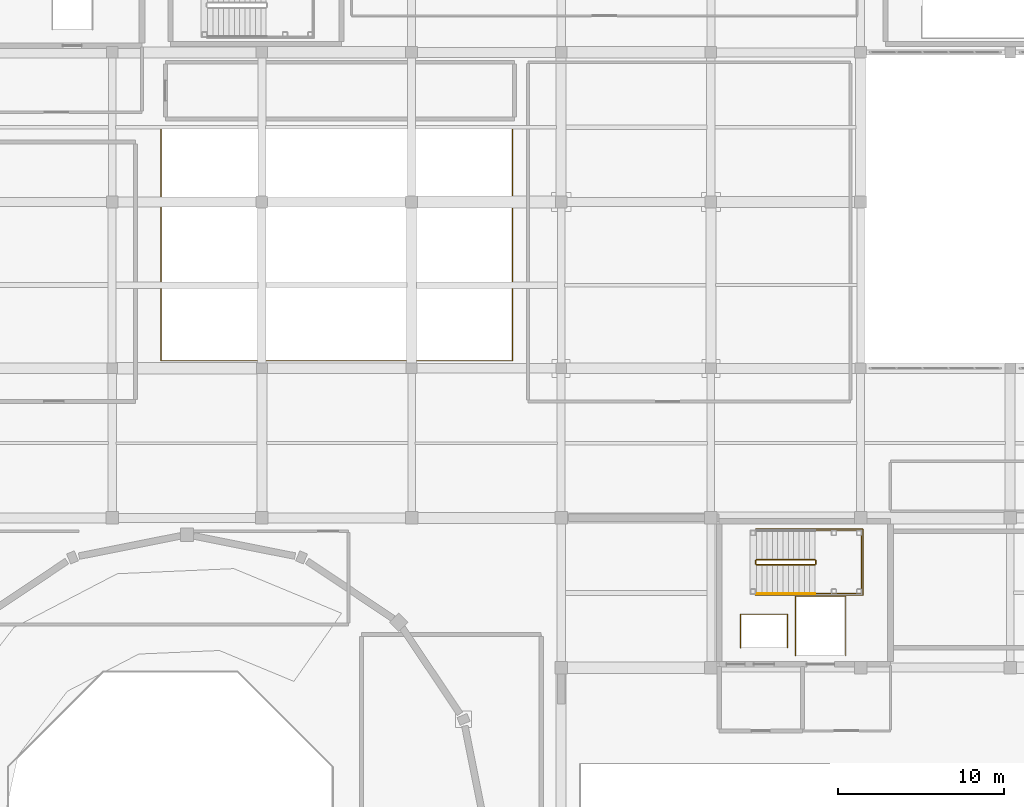
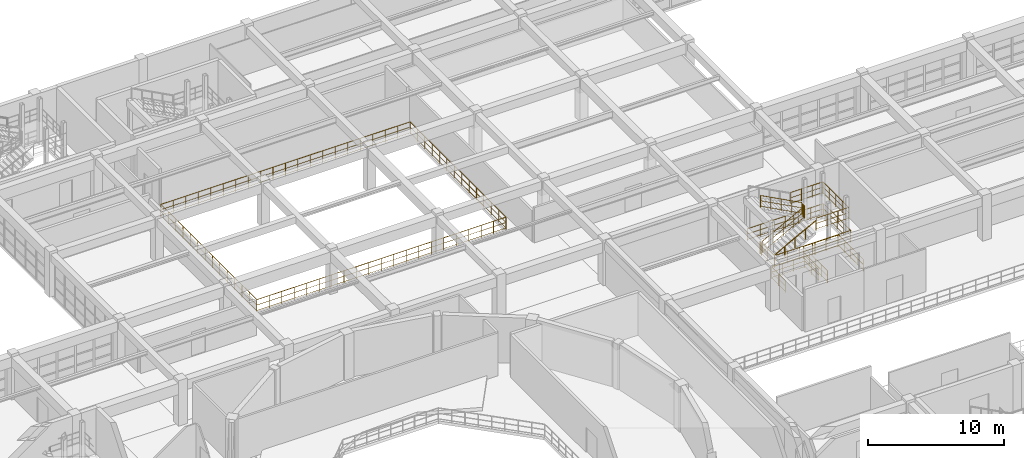
# One storey, part 127 of 130: 10 railings.
"""IFC4 building model written with IfcOpenShell, lengths in metres."""

from ifc_helpers import new_model, si_unit, direction, frame, origin, origin_2d, place, context, subcontext, project, spatial, circle, extrude, material, type_object, element, save


model = new_model("IFC4")

# Units and contexts
model_context = context("Model", 3, precision=1e-05, world=origin(), true_north=direction((0.0, 1.0)))
body_context = subcontext(model_context, "Body", "Model", "MODEL_VIEW")
ifc_project = project(units=[si_unit("LENGTHUNIT", "METRE"), si_unit("AREAUNIT", "SQUARE_METRE"), si_unit("VOLUMEUNIT", "CUBIC_METRE"), si_unit("PLANEANGLEUNIT", "RADIAN"), si_unit("MASSUNIT", "GRAM", prefix="KILO")], contexts=[model_context])

# Site, building, storey
site_placement = place(None, origin())
site = spatial("IfcSite", under=ifc_project, at=site_placement, CompositionType="ELEMENT")
building_placement = place(site_placement, origin())
building = spatial("IfcBuilding", under=site, at=building_placement, Name="Miravela Opera House", CompositionType="ELEMENT")
storey_placement = place(building_placement, frame((0.0, 0.0, 9.52001953125)))
storey = spatial("IfcBuildingStorey", under=building, at=storey_placement, Name="L02", CompositionType="ELEMENT", Elevation=9.52001953125)

# Railings
ifc_material_1 = material(Name="Gilded bronze auditorium tier balustrade")
railing_type_1 = type_object("IfcRailingType", Name="ARC-RAIL-BOWL-BAL", PredefinedType="BALUSTRADE", material=ifc_material_1)
railing_1_placement = place(storey_placement, frame((74.933349609375, 84.45556640625, 0.0)))
element("IfcRailing", 1, at=railing_1_placement, inside=storey, type_object=railing_type_1, Name="L02 Void Perimeter Balustrade 0162", PredefinedType="BALUSTRADE", context=body_context, shape_type="SweptSolid", body=[
    extrude(circle(Radius=0.02490234375, at=origin_2d()), frame((0.0, 0.0, 1.09521484375), z_axis=(1.0, 0.0, 0.0), x_axis=(0.0, 1.0, 0.0)), (0.0, 0.0, 1.0), 21.13330078125),
    extrude(circle(Radius=0.01611328125, at=origin_2d()), frame((0.0, 0.0, 0.615966796875), z_axis=(1.0, 0.0, 0.0), x_axis=(0.0, 1.0, 0.0)), (0.0, 0.0, 1.0), 21.13330078125),
    extrude(circle(Radius=0.01611328125, at=origin_2d()), frame((0.0, 0.0, 0.1201171875), z_axis=(1.0, 0.0, 0.0), x_axis=(0.0, 1.0, 0.0)), (0.0, 0.0, 1.0), 21.13330078125),
    extrude(circle(Radius=0.02490234375, at=origin_2d()), frame((21.13330078125, 0.0, 1.09521484375), z_axis=(0.0, 1.0, 0.0), x_axis=(-1.0, 0.0, 0.0)), (0.0, 0.0, 1.0), 14.0888671875),
    extrude(circle(Radius=0.01611328125, at=origin_2d()), frame((21.13330078125, 0.0, 0.615966796875), z_axis=(0.0, 1.0, 0.0), x_axis=(-1.0, 0.0, 0.0)), (0.0, 0.0, 1.0), 14.0888671875),
    extrude(circle(Radius=0.01611328125, at=origin_2d()), frame((21.13330078125, 0.0, 0.1201171875), z_axis=(0.0, 1.0, 0.0), x_axis=(-1.0, 0.0, 0.0)), (0.0, 0.0, 1.0), 14.0888671875),
    extrude(circle(Radius=0.02490234375, at=origin_2d()), frame((21.13330078125, 14.0888671875, 1.09521484375), z_axis=(-1.0, 0.0, 0.0), x_axis=(0.0, -1.0, 0.0)), (0.0, 0.0, 1.0), 21.13330078125),
    extrude(circle(Radius=0.01611328125, at=origin_2d()), frame((21.13330078125, 14.0888671875, 0.615966796875), z_axis=(-1.0, 0.0, 0.0), x_axis=(0.0, -1.0, 0.0)), (0.0, 0.0, 1.0), 21.13330078125),
    extrude(circle(Radius=0.01611328125, at=origin_2d()), frame((21.13330078125, 14.0888671875, 0.1201171875), z_axis=(-1.0, 0.0, 0.0), x_axis=(0.0, -1.0, 0.0)), (0.0, 0.0, 1.0), 21.13330078125),
    extrude(circle(Radius=0.02490234375, at=origin_2d()), frame((0.0, 14.0888671875, 1.09521484375), z_axis=(0.0, -1.0, 0.0), x_axis=(1.0, 0.0, 0.0)), (0.0, 0.0, 1.0), 14.0888671875),
    extrude(circle(Radius=0.01611328125, at=origin_2d()), frame((0.0, 14.0888671875, 0.615966796875), z_axis=(0.0, -1.0, 0.0), x_axis=(1.0, 0.0, 0.0)), (0.0, 0.0, 1.0), 14.0888671875),
    extrude(circle(Radius=0.01611328125, at=origin_2d()), frame((0.0, 14.0888671875, 0.1201171875), z_axis=(0.0, -1.0, 0.0), x_axis=(1.0, 0.0, 0.0)), (0.0, 0.0, 1.0), 14.0888671875),
    extrude(circle(Radius=0.02099609375, at=origin_2d()), origin(), (0.0, 0.0, 1.0), 1.070068359375),
    extrude(circle(Radius=0.02099609375, at=origin_2d()), frame((1.056640625, 0.0, 0.0)), (0.0, 0.0, 1.0), 1.070068359375),
    extrude(circle(Radius=0.02099609375, at=origin_2d()), frame((2.11328125, 0.0, 0.0)), (0.0, 0.0, 1.0), 1.070068359375),
    extrude(circle(Radius=0.02099609375, at=origin_2d()), frame((3.169921875, 0.0, 0.0)), (0.0, 0.0, 1.0), 1.070068359375),
    extrude(circle(Radius=0.02099609375, at=origin_2d()), frame((4.2265625, 0.0, 0.0)), (0.0, 0.0, 1.0), 1.070068359375),
    extrude(circle(Radius=0.02099609375, at=origin_2d()), frame((5.283203125, 0.0, 0.0)), (0.0, 0.0, 1.0), 1.070068359375),
    extrude(circle(Radius=0.02099609375, at=origin_2d()), frame((6.340087890625, 0.0, 0.0)), (0.0, 0.0, 1.0), 1.070068359375),
    extrude(circle(Radius=0.02099609375, at=origin_2d()), frame((7.396728515625, 0.0, 0.0)), (0.0, 0.0, 1.0), 1.070068359375),
    extrude(circle(Radius=0.02099609375, at=origin_2d()), frame((8.453369140625, 0.0, 0.0)), (0.0, 0.0, 1.0), 1.070068359375),
    extrude(circle(Radius=0.02099609375, at=origin_2d()), frame((9.510009765625, 0.0, 0.0)), (0.0, 0.0, 1.0), 1.070068359375),
    extrude(circle(Radius=0.02099609375, at=origin_2d()), frame((10.566650390625, 0.0, 0.0)), (0.0, 0.0, 1.0), 1.070068359375),
    extrude(circle(Radius=0.02099609375, at=origin_2d()), frame((11.623291015625, 0.0, 0.0)), (0.0, 0.0, 1.0), 1.070068359375),
    extrude(circle(Radius=0.02099609375, at=origin_2d()), frame((12.679931640625, 0.0, 0.0)), (0.0, 0.0, 1.0), 1.070068359375),
    extrude(circle(Radius=0.02099609375, at=origin_2d()), frame((13.736572265625, 0.0, 0.0)), (0.0, 0.0, 1.0), 1.070068359375),
    extrude(circle(Radius=0.02099609375, at=origin_2d()), frame((14.793212890625, 0.0, 0.0)), (0.0, 0.0, 1.0), 1.070068359375),
    extrude(circle(Radius=0.02099609375, at=origin_2d()), frame((15.85009765625, 0.0, 0.0)), (0.0, 0.0, 1.0), 1.070068359375),
    extrude(circle(Radius=0.02099609375, at=origin_2d()), frame((16.90673828125, 0.0, 0.0)), (0.0, 0.0, 1.0), 1.070068359375),
    extrude(circle(Radius=0.02099609375, at=origin_2d()), frame((17.96337890625, 0.0, 0.0)), (0.0, 0.0, 1.0), 1.070068359375),
    extrude(circle(Radius=0.02099609375, at=origin_2d()), frame((19.02001953125, 0.0, 0.0)), (0.0, 0.0, 1.0), 1.070068359375),
    extrude(circle(Radius=0.02099609375, at=origin_2d()), frame((20.07666015625, 0.0, 0.0)), (0.0, 0.0, 1.0), 1.070068359375),
    extrude(circle(Radius=0.02099609375, at=origin_2d()), frame((21.13330078125, 0.0, 0.0)), (0.0, 0.0, 1.0), 1.070068359375),
    extrude(circle(Radius=0.02099609375, at=origin_2d()), frame((21.13330078125, 1.083740234375, 0.0)), (0.0, 0.0, 1.0), 1.070068359375),
    extrude(circle(Radius=0.02099609375, at=origin_2d()), frame((21.13330078125, 2.16748046875, 0.0)), (0.0, 0.0, 1.0), 1.070068359375),
    extrude(circle(Radius=0.02099609375, at=origin_2d()), frame((21.13330078125, 3.251220703125, 0.0)), (0.0, 0.0, 1.0), 1.070068359375),
    extrude(circle(Radius=0.02099609375, at=origin_2d()), frame((21.13330078125, 4.3349609375, 0.0)), (0.0, 0.0, 1.0), 1.070068359375),
    extrude(circle(Radius=0.02099609375, at=origin_2d()), frame((21.13330078125, 5.418701171875, 0.0)), (0.0, 0.0, 1.0), 1.070068359375),
    extrude(circle(Radius=0.02099609375, at=origin_2d()), frame((21.13330078125, 6.50244140625, 0.0)), (0.0, 0.0, 1.0), 1.070068359375),
    extrude(circle(Radius=0.02099609375, at=origin_2d()), frame((21.13330078125, 7.58642578125, 0.0)), (0.0, 0.0, 1.0), 1.070068359375),
    extrude(circle(Radius=0.02099609375, at=origin_2d()), frame((21.13330078125, 8.670166015625, 0.0)), (0.0, 0.0, 1.0), 1.070068359375),
    extrude(circle(Radius=0.02099609375, at=origin_2d()), frame((21.13330078125, 9.75390625, 0.0)), (0.0, 0.0, 1.0), 1.070068359375),
    extrude(circle(Radius=0.02099609375, at=origin_2d()), frame((21.13330078125, 10.837646484375, 0.0)), (0.0, 0.0, 1.0), 1.070068359375),
    extrude(circle(Radius=0.02099609375, at=origin_2d()), frame((21.13330078125, 11.92138671875, 0.0)), (0.0, 0.0, 1.0), 1.070068359375),
    extrude(circle(Radius=0.02099609375, at=origin_2d()), frame((21.13330078125, 13.005126953125, 0.0)), (0.0, 0.0, 1.0), 1.070068359375),
    extrude(circle(Radius=0.02099609375, at=origin_2d()), frame((21.13330078125, 14.0888671875, 0.0)), (0.0, 0.0, 1.0), 1.070068359375),
    extrude(circle(Radius=0.02099609375, at=origin_2d()), frame((20.07666015625, 14.0888671875, 0.0)), (0.0, 0.0, 1.0), 1.070068359375),
    extrude(circle(Radius=0.02099609375, at=origin_2d()), frame((19.02001953125, 14.0888671875, 0.0)), (0.0, 0.0, 1.0), 1.070068359375),
    extrude(circle(Radius=0.02099609375, at=origin_2d()), frame((17.96337890625, 14.0888671875, 0.0)), (0.0, 0.0, 1.0), 1.070068359375),
    extrude(circle(Radius=0.02099609375, at=origin_2d()), frame((16.90673828125, 14.0888671875, 0.0)), (0.0, 0.0, 1.0), 1.070068359375),
    extrude(circle(Radius=0.02099609375, at=origin_2d()), frame((15.85009765625, 14.0888671875, 0.0)), (0.0, 0.0, 1.0), 1.070068359375),
    extrude(circle(Radius=0.02099609375, at=origin_2d()), frame((14.793212890625, 14.0888671875, 0.0)), (0.0, 0.0, 1.0), 1.070068359375),
    extrude(circle(Radius=0.02099609375, at=origin_2d()), frame((13.736572265625, 14.0888671875, 0.0)), (0.0, 0.0, 1.0), 1.070068359375),
    extrude(circle(Radius=0.02099609375, at=origin_2d()), frame((12.679931640625, 14.0888671875, 0.0)), (0.0, 0.0, 1.0), 1.070068359375),
    extrude(circle(Radius=0.02099609375, at=origin_2d()), frame((11.623291015625, 14.0888671875, 0.0)), (0.0, 0.0, 1.0), 1.070068359375),
    extrude(circle(Radius=0.02099609375, at=origin_2d()), frame((10.566650390625, 14.0888671875, 0.0)), (0.0, 0.0, 1.0), 1.070068359375),
    extrude(circle(Radius=0.02099609375, at=origin_2d()), frame((9.510009765625, 14.0888671875, 0.0)), (0.0, 0.0, 1.0), 1.070068359375),
    extrude(circle(Radius=0.02099609375, at=origin_2d()), frame((8.453369140625, 14.0888671875, 0.0)), (0.0, 0.0, 1.0), 1.070068359375),
    extrude(circle(Radius=0.02099609375, at=origin_2d()), frame((7.396728515625, 14.0888671875, 0.0)), (0.0, 0.0, 1.0), 1.070068359375),
    extrude(circle(Radius=0.02099609375, at=origin_2d()), frame((6.340087890625, 14.0888671875, 0.0)), (0.0, 0.0, 1.0), 1.070068359375),
    extrude(circle(Radius=0.02099609375, at=origin_2d()), frame((5.283203125, 14.0888671875, 0.0)), (0.0, 0.0, 1.0), 1.070068359375),
    extrude(circle(Radius=0.02099609375, at=origin_2d()), frame((4.2265625, 14.0888671875, 0.0)), (0.0, 0.0, 1.0), 1.070068359375),
    extrude(circle(Radius=0.02099609375, at=origin_2d()), frame((3.169921875, 14.0888671875, 0.0)), (0.0, 0.0, 1.0), 1.070068359375),
    extrude(circle(Radius=0.02099609375, at=origin_2d()), frame((2.11328125, 14.0888671875, 0.0)), (0.0, 0.0, 1.0), 1.070068359375),
    extrude(circle(Radius=0.02099609375, at=origin_2d()), frame((1.056640625, 14.0888671875, 0.0)), (0.0, 0.0, 1.0), 1.070068359375),
    extrude(circle(Radius=0.02099609375, at=origin_2d()), frame((0.0, 14.0888671875, 0.0)), (0.0, 0.0, 1.0), 1.070068359375),
    extrude(circle(Radius=0.02099609375, at=origin_2d()), frame((0.0, 13.005126953125, 0.0)), (0.0, 0.0, 1.0), 1.070068359375),
    extrude(circle(Radius=0.02099609375, at=origin_2d()), frame((0.0, 11.92138671875, 0.0)), (0.0, 0.0, 1.0), 1.070068359375),
    extrude(circle(Radius=0.02099609375, at=origin_2d()), frame((0.0, 10.837646484375, 0.0)), (0.0, 0.0, 1.0), 1.070068359375),
    extrude(circle(Radius=0.02099609375, at=origin_2d()), frame((0.0, 9.75390625, 0.0)), (0.0, 0.0, 1.0), 1.070068359375),
    extrude(circle(Radius=0.02099609375, at=origin_2d()), frame((0.0, 8.670166015625, 0.0)), (0.0, 0.0, 1.0), 1.070068359375),
    extrude(circle(Radius=0.02099609375, at=origin_2d()), frame((0.0, 7.58642578125, 0.0)), (0.0, 0.0, 1.0), 1.070068359375),
    extrude(circle(Radius=0.02099609375, at=origin_2d()), frame((0.0, 6.50244140625, 0.0)), (0.0, 0.0, 1.0), 1.070068359375),
    extrude(circle(Radius=0.02099609375, at=origin_2d()), frame((0.0, 5.418701171875, 0.0)), (0.0, 0.0, 1.0), 1.070068359375),
    extrude(circle(Radius=0.02099609375, at=origin_2d()), frame((0.0, 4.3349609375, 0.0)), (0.0, 0.0, 1.0), 1.070068359375),
    extrude(circle(Radius=0.02099609375, at=origin_2d()), frame((0.0, 3.251220703125, 0.0)), (0.0, 0.0, 1.0), 1.070068359375),
    extrude(circle(Radius=0.02099609375, at=origin_2d()), frame((0.0, 2.16748046875, 0.0)), (0.0, 0.0, 1.0), 1.070068359375),
    extrude(circle(Radius=0.02099609375, at=origin_2d()), frame((0.0, 1.083740234375, 0.0)), (0.0, 0.0, 1.0), 1.070068359375),
])
ifc_material_2 = material(Name="Brushed bronze continuous stair handrail")
railing_type_2 = type_object("IfcRailingType", Name="ARC-RAIL-HAND-900", PredefinedType="HANDRAIL", material=ifc_material_2)
railing_2_placement = place(storey_placement, frame((110.739990234375, 70.449951171875, 0.169921875)))
element("IfcRailing", 2, at=railing_2_placement, inside=storey, type_object=railing_type_2, Name="L02 ST-03 stair handrail 1", PredefinedType="HANDRAIL", context=body_context, shape_type="SweptSolid", body=[
    extrude(circle(Radius=0.02392578125, at=origin_2d()), frame((0.0, 0.0, 0.8759765625), z_axis=(0.883104616746, 0.0, 0.469176124586), x_axis=(0.0, 1.0, 0.0)), (0.0, 0.0, 1.0), 3.98583984375),
    extrude(circle(Radius=0.02099609375, at=origin_2d()), origin(), (0.0, 0.0, 1.0), 0.851806640625),
    extrude(circle(Radius=0.02099609375, at=origin_2d()), frame((0.8798828125, 0.0, 0.467529296875)), (0.0, 0.0, 1.0), 0.851806640625),
    extrude(circle(Radius=0.02099609375, at=origin_2d()), frame((1.760009765625, 0.0, 0.93505859375)), (0.0, 0.0, 1.0), 0.851806640625),
    extrude(circle(Radius=0.02099609375, at=origin_2d()), frame((2.64013671875, 0.0, 1.402587890625)), (0.0, 0.0, 1.0), 0.851806640625),
    extrude(circle(Radius=0.02099609375, at=origin_2d()), frame((3.52001953125, 0.0, 1.8701171875)), (0.0, 0.0, 1.0), 0.851806640625),
])
ifc_material_3 = material(Name="Painted wrought-iron stair guardrail")
railing_type_3 = type_object("IfcRailingType", Name="ARC-RAIL-STAIR-GUARD", PredefinedType="GUARDRAIL", material=ifc_material_3)
railing_3_placement = place(storey_placement, frame((110.739990234375, 72.18994140625, 0.169921875)))
element("IfcRailing", 3, at=railing_3_placement, inside=storey, type_object=railing_type_3, Name="L02 ST-03 stair guard 1", PredefinedType="GUARDRAIL", context=body_context, shape_type="SweptSolid", body=[
    extrude(circle(Radius=0.02392578125, at=origin_2d()), frame((0.0, 0.0, 1.076171875), z_axis=(0.883104616746, 0.0, 0.469176124586), x_axis=(0.0, 1.0, 0.0)), (0.0, 0.0, 1.0), 3.98583984375),
    extrude(circle(Radius=0.01611328125, at=origin_2d()), frame((0.0, 0.0, 0.60498046875), z_axis=(0.883104616746, 0.0, 0.469176124586), x_axis=(0.0, 1.0, 0.0)), (0.0, 0.0, 1.0), 3.98583984375),
    extrude(circle(Radius=0.01611328125, at=origin_2d()), frame((0.0, 0.0, 0.1201171875), z_axis=(0.883104616746, 0.0, 0.469176124586), x_axis=(0.0, 1.0, 0.0)), (0.0, 0.0, 1.0), 3.98583984375),
    extrude(circle(Radius=0.02099609375, at=origin_2d()), origin(), (0.0, 0.0, 1.0), 1.052001953125),
    extrude(circle(Radius=0.02099609375, at=origin_2d()), frame((0.8798828125, 0.0, 0.467529296875)), (0.0, 0.0, 1.0), 1.052001953125),
    extrude(circle(Radius=0.02099609375, at=origin_2d()), frame((1.760009765625, 0.0, 0.93505859375)), (0.0, 0.0, 1.0), 1.052001953125),
    extrude(circle(Radius=0.02099609375, at=origin_2d()), frame((2.64013671875, 0.0, 1.402587890625)), (0.0, 0.0, 1.0), 1.052001953125),
    extrude(circle(Radius=0.02099609375, at=origin_2d()), frame((3.52001953125, 0.0, 1.8701171875)), (0.0, 0.0, 1.0), 1.052001953125),
])
railing_4_placement = place(storey_placement, frame((114.31005859375, 72.239990234375, 2.0400390625)))
element("IfcRailing", 4, at=railing_4_placement, inside=storey, type_object=railing_type_3, Name="L02 ST-03 stair guard 2", PredefinedType="GUARDRAIL", context=body_context, shape_type="SweptSolid", body=[
    extrude(circle(Radius=0.02392578125, at=origin_2d()), frame((0.0, 0.0, 1.076171875), z_axis=(0.0, 1.0, 0.0), x_axis=(-1.0, 0.0, 0.0)), (0.0, 0.0, 1.0), 0.199951171875),
    extrude(circle(Radius=0.01611328125, at=origin_2d()), frame((0.0, 0.0, 0.60498046875), z_axis=(0.0, 1.0, 0.0), x_axis=(-1.0, 0.0, 0.0)), (0.0, 0.0, 1.0), 0.199951171875),
    extrude(circle(Radius=0.01611328125, at=origin_2d()), frame((0.0, 0.0, 0.1201171875), z_axis=(0.0, 1.0, 0.0), x_axis=(-1.0, 0.0, 0.0)), (0.0, 0.0, 1.0), 0.199951171875),
    extrude(circle(Radius=0.02099609375, at=origin_2d()), origin(), (0.0, 0.0, 1.0), 1.052001953125),
    extrude(circle(Radius=0.02099609375, at=origin_2d()), frame((0.0, 0.199951171875, 0.0)), (0.0, 0.0, 1.0), 1.052001953125),
])
railing_5_placement = place(storey_placement, frame((114.260009765625, 72.489990234375, 2.2099609375)))
element("IfcRailing", 5, at=railing_5_placement, inside=storey, type_object=railing_type_3, Name="L02 ST-03 stair guard 3", PredefinedType="GUARDRAIL", context=body_context, shape_type="SweptSolid", body=[
    extrude(circle(Radius=0.02392578125, at=origin_2d()), frame((0.0, 0.0, 1.076171875), z_axis=(-0.883104616746, 0.0, 0.469176124586), x_axis=(0.0, -1.0, 0.0)), (0.0, 0.0, 1.0), 3.98583984375),
    extrude(circle(Radius=0.01611328125, at=origin_2d()), frame((0.0, 0.0, 0.60498046875), z_axis=(-0.883104616746, 0.0, 0.469176124586), x_axis=(0.0, -1.0, 0.0)), (0.0, 0.0, 1.0), 3.98583984375),
    extrude(circle(Radius=0.01611328125, at=origin_2d()), frame((0.0, 0.0, 0.1201171875), z_axis=(-0.883104616746, 0.0, 0.469176124586), x_axis=(0.0, -1.0, 0.0)), (0.0, 0.0, 1.0), 3.98583984375),
    extrude(circle(Radius=0.02099609375, at=origin_2d()), origin(), (0.0, 0.0, 1.0), 1.052001953125),
    extrude(circle(Radius=0.02099609375, at=origin_2d()), frame((-0.8798828125, 0.0, 0.467529296875)), (0.0, 0.0, 1.0), 1.052001953125),
    extrude(circle(Radius=0.02099609375, at=origin_2d()), frame((-1.760009765625, 0.0, 0.93505859375)), (0.0, 0.0, 1.0), 1.052001953125),
    extrude(circle(Radius=0.02099609375, at=origin_2d()), frame((-2.64013671875, 0.0, 1.402587890625)), (0.0, 0.0, 1.0), 1.052001953125),
    extrude(circle(Radius=0.02099609375, at=origin_2d()), frame((-3.52001953125, 0.0, 1.8701171875)), (0.0, 0.0, 1.0), 1.052001953125),
])
railing_6_placement = place(storey_placement, frame((110.68994140625, 72.239990234375, 0.0)))
element("IfcRailing", 6, at=railing_6_placement, inside=storey, type_object=railing_type_3, Name="L02 ST-03 stair guard 4", PredefinedType="GUARDRAIL", context=body_context, shape_type="SweptSolid", body=[
    extrude(circle(Radius=0.02392578125, at=origin_2d()), frame((0.0, 0.0, 1.076171875), z_axis=(0.0, 1.0, 0.0), x_axis=(-1.0, 0.0, 0.0)), (0.0, 0.0, 1.0), 0.199951171875),
    extrude(circle(Radius=0.01611328125, at=origin_2d()), frame((0.0, 0.0, 0.60498046875), z_axis=(0.0, 1.0, 0.0), x_axis=(-1.0, 0.0, 0.0)), (0.0, 0.0, 1.0), 0.199951171875),
    extrude(circle(Radius=0.01611328125, at=origin_2d()), frame((0.0, 0.0, 0.1201171875), z_axis=(0.0, 1.0, 0.0), x_axis=(-1.0, 0.0, 0.0)), (0.0, 0.0, 1.0), 0.199951171875),
    extrude(circle(Radius=0.02099609375, at=origin_2d()), origin(), (0.0, 0.0, 1.0), 1.052001953125),
    extrude(circle(Radius=0.02099609375, at=origin_2d()), frame((0.0, 0.199951171875, 0.0)), (0.0, 0.0, 1.0), 1.052001953125),
])
railing_7_placement = place(storey_placement, frame((114.31005859375, 70.449951171875, 2.0400390625)))
element("IfcRailing", 7, at=railing_7_placement, inside=storey, type_object=railing_type_3, Name="Stair ST-03 Half-Landing Perimeter Guard (L02) 0028", PredefinedType="GUARDRAIL", context=body_context, shape_type="SweptSolid", body=[
    extrude(circle(Radius=0.02392578125, at=origin_2d()), frame((0.0, 0.0, 1.076171875), z_axis=(1.0, 0.0, 0.0), x_axis=(0.0, 1.0, 0.0)), (0.0, 0.0, 1.0), 2.739990234375),
    extrude(circle(Radius=0.01611328125, at=origin_2d()), frame((0.0, 0.0, 0.60498046875), z_axis=(1.0, 0.0, 0.0), x_axis=(0.0, 1.0, 0.0)), (0.0, 0.0, 1.0), 2.739990234375),
    extrude(circle(Radius=0.01611328125, at=origin_2d()), frame((0.0, 0.0, 0.1201171875), z_axis=(1.0, 0.0, 0.0), x_axis=(0.0, 1.0, 0.0)), (0.0, 0.0, 1.0), 2.739990234375),
    extrude(circle(Radius=0.02392578125, at=origin_2d()), frame((2.739990234375, 0.0, 1.076171875), z_axis=(0.0, 1.0, 0.0), x_axis=(-1.0, 0.0, 0.0)), (0.0, 0.0, 1.0), 3.780029296875),
    extrude(circle(Radius=0.01611328125, at=origin_2d()), frame((2.739990234375, 0.0, 0.60498046875), z_axis=(0.0, 1.0, 0.0), x_axis=(-1.0, 0.0, 0.0)), (0.0, 0.0, 1.0), 3.780029296875),
    extrude(circle(Radius=0.01611328125, at=origin_2d()), frame((2.739990234375, 0.0, 0.1201171875), z_axis=(0.0, 1.0, 0.0), x_axis=(-1.0, 0.0, 0.0)), (0.0, 0.0, 1.0), 3.780029296875),
    extrude(circle(Radius=0.02392578125, at=origin_2d()), frame((2.739990234375, 3.780029296875, 1.076171875), z_axis=(-1.0, 0.0, 0.0), x_axis=(0.0, -1.0, 0.0)), (0.0, 0.0, 1.0), 2.739990234375),
    extrude(circle(Radius=0.01611328125, at=origin_2d()), frame((2.739990234375, 3.780029296875, 0.60498046875), z_axis=(-1.0, 0.0, 0.0), x_axis=(0.0, -1.0, 0.0)), (0.0, 0.0, 1.0), 2.739990234375),
    extrude(circle(Radius=0.01611328125, at=origin_2d()), frame((2.739990234375, 3.780029296875, 0.1201171875), z_axis=(-1.0, 0.0, 0.0), x_axis=(0.0, -1.0, 0.0)), (0.0, 0.0, 1.0), 2.739990234375),
    extrude(circle(Radius=0.02099609375, at=origin_2d()), origin(), (0.0, 0.0, 1.0), 1.052001953125),
    extrude(circle(Radius=0.02099609375, at=origin_2d()), frame((0.913330078125, 0.0, 0.0)), (0.0, 0.0, 1.0), 1.052001953125),
    extrude(circle(Radius=0.02099609375, at=origin_2d()), frame((1.82666015625, 0.0, 0.0)), (0.0, 0.0, 1.0), 1.052001953125),
    extrude(circle(Radius=0.02099609375, at=origin_2d()), frame((2.739990234375, 0.0, 0.0)), (0.0, 0.0, 1.0), 1.052001953125),
    extrude(circle(Radius=0.02099609375, at=origin_2d()), frame((2.739990234375, 0.945068359375, 0.0)), (0.0, 0.0, 1.0), 1.052001953125),
    extrude(circle(Radius=0.02099609375, at=origin_2d()), frame((2.739990234375, 1.89013671875, 0.0)), (0.0, 0.0, 1.0), 1.052001953125),
    extrude(circle(Radius=0.02099609375, at=origin_2d()), frame((2.739990234375, 2.8349609375, 0.0)), (0.0, 0.0, 1.0), 1.052001953125),
    extrude(circle(Radius=0.02099609375, at=origin_2d()), frame((2.739990234375, 3.780029296875, 0.0)), (0.0, 0.0, 1.0), 1.052001953125),
    extrude(circle(Radius=0.02099609375, at=origin_2d()), frame((1.82666015625, 3.780029296875, 0.0)), (0.0, 0.0, 1.0), 1.052001953125),
    extrude(circle(Radius=0.02099609375, at=origin_2d()), frame((0.913330078125, 3.780029296875, 0.0)), (0.0, 0.0, 1.0), 1.052001953125),
    extrude(circle(Radius=0.02099609375, at=origin_2d()), frame((0.0, 3.780029296875, 0.0)), (0.0, 0.0, 1.0), 1.052001953125),
])
railing_8_placement = place(storey_placement, frame((110.68994140625, 72.27001953125, 0.0)))
element("IfcRailing", 8, at=railing_8_placement, inside=storey, type_object=railing_type_3, Name="Stair ST-03 Well Slab Opening Guard (L02) 0033", PredefinedType="GUARDRAIL", context=body_context, shape_type="SweptSolid", body=[
    extrude(circle(Radius=0.02392578125, at=origin_2d()), frame((0.0, 0.0, 1.076171875), z_axis=(0.0, -1.0, 0.0), x_axis=(1.0, 0.0, 0.0)), (0.0, 0.0, 1.0), 1.919921875),
    extrude(circle(Radius=0.01611328125, at=origin_2d()), frame((0.0, 0.0, 0.60498046875), z_axis=(0.0, -1.0, 0.0), x_axis=(1.0, 0.0, 0.0)), (0.0, 0.0, 1.0), 1.919921875),
    extrude(circle(Radius=0.01611328125, at=origin_2d()), frame((0.0, 0.0, 0.1201171875), z_axis=(0.0, -1.0, 0.0), x_axis=(1.0, 0.0, 0.0)), (0.0, 0.0, 1.0), 1.919921875),
    extrude(circle(Radius=0.02392578125, at=origin_2d()), frame((0.0, -1.919921875, 1.076171875), z_axis=(1.0, 0.0, 0.0), x_axis=(0.0, 1.0, 0.0)), (0.0, 0.0, 1.0), 6.4599609375),
    extrude(circle(Radius=0.01611328125, at=origin_2d()), frame((0.0, -1.919921875, 0.60498046875), z_axis=(1.0, 0.0, 0.0), x_axis=(0.0, 1.0, 0.0)), (0.0, 0.0, 1.0), 6.4599609375),
    extrude(circle(Radius=0.01611328125, at=origin_2d()), frame((0.0, -1.919921875, 0.1201171875), z_axis=(1.0, 0.0, 0.0), x_axis=(0.0, 1.0, 0.0)), (0.0, 0.0, 1.0), 6.4599609375),
    extrude(circle(Radius=0.02392578125, at=origin_2d()), frame((6.4599609375, -1.919921875, 1.076171875), z_axis=(0.0, 1.0, 0.0), x_axis=(-1.0, 0.0, 0.0)), (0.0, 0.0, 1.0), 3.97998046875),
    extrude(circle(Radius=0.01611328125, at=origin_2d()), frame((6.4599609375, -1.919921875, 0.60498046875), z_axis=(0.0, 1.0, 0.0), x_axis=(-1.0, 0.0, 0.0)), (0.0, 0.0, 1.0), 3.97998046875),
    extrude(circle(Radius=0.01611328125, at=origin_2d()), frame((6.4599609375, -1.919921875, 0.1201171875), z_axis=(0.0, 1.0, 0.0), x_axis=(-1.0, 0.0, 0.0)), (0.0, 0.0, 1.0), 3.97998046875),
    extrude(circle(Radius=0.02392578125, at=origin_2d()), frame((6.4599609375, 2.06005859375, 1.076171875), z_axis=(-1.0, 0.0, 0.0), x_axis=(0.0, -1.0, 0.0)), (0.0, 0.0, 1.0), 6.4599609375),
    extrude(circle(Radius=0.01611328125, at=origin_2d()), frame((6.4599609375, 2.06005859375, 0.60498046875), z_axis=(-1.0, 0.0, 0.0), x_axis=(0.0, -1.0, 0.0)), (0.0, 0.0, 1.0), 6.4599609375),
    extrude(circle(Radius=0.01611328125, at=origin_2d()), frame((6.4599609375, 2.06005859375, 0.1201171875), z_axis=(-1.0, 0.0, 0.0), x_axis=(0.0, -1.0, 0.0)), (0.0, 0.0, 1.0), 6.4599609375),
    extrude(circle(Radius=0.02099609375, at=origin_2d()), origin(), (0.0, 0.0, 1.0), 1.052001953125),
    extrude(circle(Radius=0.02099609375, at=origin_2d()), frame((0.0, -0.9599609375, 0.0)), (0.0, 0.0, 1.0), 1.052001953125),
    extrude(circle(Radius=0.02099609375, at=origin_2d()), frame((0.0, -1.919921875, 0.0)), (0.0, 0.0, 1.0), 1.052001953125),
    extrude(circle(Radius=0.02099609375, at=origin_2d()), frame((1.07666015625, -1.919921875, 0.0)), (0.0, 0.0, 1.0), 1.052001953125),
    extrude(circle(Radius=0.02099609375, at=origin_2d()), frame((2.1533203125, -1.919921875, 0.0)), (0.0, 0.0, 1.0), 1.052001953125),
    extrude(circle(Radius=0.02099609375, at=origin_2d()), frame((3.22998046875, -1.919921875, 0.0)), (0.0, 0.0, 1.0), 1.052001953125),
    extrude(circle(Radius=0.02099609375, at=origin_2d()), frame((4.306640625, -1.919921875, 0.0)), (0.0, 0.0, 1.0), 1.052001953125),
    extrude(circle(Radius=0.02099609375, at=origin_2d()), frame((5.38330078125, -1.919921875, 0.0)), (0.0, 0.0, 1.0), 1.052001953125),
    extrude(circle(Radius=0.02099609375, at=origin_2d()), frame((6.4599609375, -1.919921875, 0.0)), (0.0, 0.0, 1.0), 1.052001953125),
    extrude(circle(Radius=0.02099609375, at=origin_2d()), frame((6.4599609375, -0.9248046875, 0.0)), (0.0, 0.0, 1.0), 1.052001953125),
    extrude(circle(Radius=0.02099609375, at=origin_2d()), frame((6.4599609375, 0.070068359375, 0.0)), (0.0, 0.0, 1.0), 1.052001953125),
    extrude(circle(Radius=0.02099609375, at=origin_2d()), frame((6.4599609375, 1.06494140625, 0.0)), (0.0, 0.0, 1.0), 1.052001953125),
    extrude(circle(Radius=0.02099609375, at=origin_2d()), frame((6.4599609375, 2.06005859375, 0.0)), (0.0, 0.0, 1.0), 1.052001953125),
    extrude(circle(Radius=0.02099609375, at=origin_2d()), frame((5.38330078125, 2.06005859375, 0.0)), (0.0, 0.0, 1.0), 1.052001953125),
    extrude(circle(Radius=0.02099609375, at=origin_2d()), frame((4.306640625, 2.06005859375, 0.0)), (0.0, 0.0, 1.0), 1.052001953125),
    extrude(circle(Radius=0.02099609375, at=origin_2d()), frame((3.22998046875, 2.06005859375, 0.0)), (0.0, 0.0, 1.0), 1.052001953125),
    extrude(circle(Radius=0.02099609375, at=origin_2d()), frame((2.1533203125, 2.06005859375, 0.0)), (0.0, 0.0, 1.0), 1.052001953125),
    extrude(circle(Radius=0.02099609375, at=origin_2d()), frame((1.07666015625, 2.06005859375, 0.0)), (0.0, 0.0, 1.0), 1.052001953125),
    extrude(circle(Radius=0.02099609375, at=origin_2d()), frame((0.0, 2.06005859375, 0.0)), (0.0, 0.0, 1.0), 1.052001953125),
])
railing_9_placement = place(storey_placement, frame((109.7900390625, 67.18505859375, 0.0)))
element("IfcRailing", 9, at=railing_9_placement, inside=storey, type_object=railing_type_3, Name="Lift FFL-02 Hoistway Slab Opening Guard (L02) 0119", PredefinedType="GUARDRAIL", context=body_context, shape_type="SweptSolid", body=[
    extrude(circle(Radius=0.02392578125, at=origin_2d()), frame((0.0, 0.0, 1.076171875), z_axis=(0.0, 1.0, 0.0), x_axis=(-1.0, 0.0, 0.0)), (0.0, 0.0, 1.0), 2.030029296875),
    extrude(circle(Radius=0.01611328125, at=origin_2d()), frame((0.0, 0.0, 0.60498046875), z_axis=(0.0, 1.0, 0.0), x_axis=(-1.0, 0.0, 0.0)), (0.0, 0.0, 1.0), 2.030029296875),
    extrude(circle(Radius=0.01611328125, at=origin_2d()), frame((0.0, 0.0, 0.1201171875), z_axis=(0.0, 1.0, 0.0), x_axis=(-1.0, 0.0, 0.0)), (0.0, 0.0, 1.0), 2.030029296875),
    extrude(circle(Radius=0.02392578125, at=origin_2d()), frame((0.0, 2.030029296875, 1.076171875), z_axis=(1.0, 0.0, 0.0), x_axis=(0.0, 1.0, 0.0)), (0.0, 0.0, 1.0), 2.820068359375),
    extrude(circle(Radius=0.01611328125, at=origin_2d()), frame((0.0, 2.030029296875, 0.60498046875), z_axis=(1.0, 0.0, 0.0), x_axis=(0.0, 1.0, 0.0)), (0.0, 0.0, 1.0), 2.820068359375),
    extrude(circle(Radius=0.01611328125, at=origin_2d()), frame((0.0, 2.030029296875, 0.1201171875), z_axis=(1.0, 0.0, 0.0), x_axis=(0.0, 1.0, 0.0)), (0.0, 0.0, 1.0), 2.820068359375),
    extrude(circle(Radius=0.02392578125, at=origin_2d()), frame((2.820068359375, 2.030029296875, 1.076171875), z_axis=(0.0, -1.0, 0.0), x_axis=(1.0, 0.0, 0.0)), (0.0, 0.0, 1.0), 2.030029296875),
    extrude(circle(Radius=0.01611328125, at=origin_2d()), frame((2.820068359375, 2.030029296875, 0.60498046875), z_axis=(0.0, -1.0, 0.0), x_axis=(1.0, 0.0, 0.0)), (0.0, 0.0, 1.0), 2.030029296875),
    extrude(circle(Radius=0.01611328125, at=origin_2d()), frame((2.820068359375, 2.030029296875, 0.1201171875), z_axis=(0.0, -1.0, 0.0), x_axis=(1.0, 0.0, 0.0)), (0.0, 0.0, 1.0), 2.030029296875),
    extrude(circle(Radius=0.02099609375, at=origin_2d()), origin(), (0.0, 0.0, 1.0), 1.052001953125),
    extrude(circle(Radius=0.02099609375, at=origin_2d()), frame((0.0, 1.01513671875, 0.0)), (0.0, 0.0, 1.0), 1.052001953125),
    extrude(circle(Radius=0.02099609375, at=origin_2d()), frame((0.0, 2.030029296875, 0.0)), (0.0, 0.0, 1.0), 1.052001953125),
    extrude(circle(Radius=0.02099609375, at=origin_2d()), frame((0.93994140625, 2.030029296875, 0.0)), (0.0, 0.0, 1.0), 1.052001953125),
    extrude(circle(Radius=0.02099609375, at=origin_2d()), frame((1.880126953125, 2.030029296875, 0.0)), (0.0, 0.0, 1.0), 1.052001953125),
    extrude(circle(Radius=0.02099609375, at=origin_2d()), frame((2.820068359375, 2.030029296875, 0.0)), (0.0, 0.0, 1.0), 1.052001953125),
    extrude(circle(Radius=0.02099609375, at=origin_2d()), frame((2.820068359375, 1.01513671875, 0.0)), (0.0, 0.0, 1.0), 1.052001953125),
    extrude(circle(Radius=0.02099609375, at=origin_2d()), frame((2.820068359375, 0.0, 0.0)), (0.0, 0.0, 1.0), 1.052001953125),
])
railing_10_placement = place(storey_placement, frame((113.090087890625, 66.7099609375, 0.0)))
element("IfcRailing", 10, at=railing_10_placement, inside=storey, type_object=railing_type_3, Name="Lift FL-01 Hoistway Slab Opening Guard (L02) 0125", PredefinedType="GUARDRAIL", context=body_context, shape_type="SweptSolid", body=[
    extrude(circle(Radius=0.02392578125, at=origin_2d()), frame((0.0, 0.0, 1.076171875), z_axis=(0.0, 1.0, 0.0), x_axis=(-1.0, 0.0, 0.0)), (0.0, 0.0, 1.0), 3.580078125),
    extrude(circle(Radius=0.01611328125, at=origin_2d()), frame((0.0, 0.0, 0.60498046875), z_axis=(0.0, 1.0, 0.0), x_axis=(-1.0, 0.0, 0.0)), (0.0, 0.0, 1.0), 3.580078125),
    extrude(circle(Radius=0.01611328125, at=origin_2d()), frame((0.0, 0.0, 0.1201171875), z_axis=(0.0, 1.0, 0.0), x_axis=(-1.0, 0.0, 0.0)), (0.0, 0.0, 1.0), 3.580078125),
    extrude(circle(Radius=0.02392578125, at=origin_2d()), frame((0.0, 3.580078125, 1.076171875), z_axis=(1.0, 0.0, 0.0), x_axis=(0.0, 1.0, 0.0)), (0.0, 0.0, 1.0), 3.02001953125),
    extrude(circle(Radius=0.01611328125, at=origin_2d()), frame((0.0, 3.580078125, 0.60498046875), z_axis=(1.0, 0.0, 0.0), x_axis=(0.0, 1.0, 0.0)), (0.0, 0.0, 1.0), 3.02001953125),
    extrude(circle(Radius=0.01611328125, at=origin_2d()), frame((0.0, 3.580078125, 0.1201171875), z_axis=(1.0, 0.0, 0.0), x_axis=(0.0, 1.0, 0.0)), (0.0, 0.0, 1.0), 3.02001953125),
    extrude(circle(Radius=0.02392578125, at=origin_2d()), frame((3.02001953125, 3.580078125, 1.076171875), z_axis=(0.0, -1.0, 0.0), x_axis=(1.0, 0.0, 0.0)), (0.0, 0.0, 1.0), 3.580078125),
    extrude(circle(Radius=0.01611328125, at=origin_2d()), frame((3.02001953125, 3.580078125, 0.60498046875), z_axis=(0.0, -1.0, 0.0), x_axis=(1.0, 0.0, 0.0)), (0.0, 0.0, 1.0), 3.580078125),
    extrude(circle(Radius=0.01611328125, at=origin_2d()), frame((3.02001953125, 3.580078125, 0.1201171875), z_axis=(0.0, -1.0, 0.0), x_axis=(1.0, 0.0, 0.0)), (0.0, 0.0, 1.0), 3.580078125),
    extrude(circle(Radius=0.02099609375, at=origin_2d()), origin(), (0.0, 0.0, 1.0), 1.052001953125),
    extrude(circle(Radius=0.02099609375, at=origin_2d()), frame((0.0, 0.89501953125, 0.0)), (0.0, 0.0, 1.0), 1.052001953125),
    extrude(circle(Radius=0.02099609375, at=origin_2d()), frame((0.0, 1.7900390625, 0.0)), (0.0, 0.0, 1.0), 1.052001953125),
    extrude(circle(Radius=0.02099609375, at=origin_2d()), frame((0.0, 2.68505859375, 0.0)), (0.0, 0.0, 1.0), 1.052001953125),
    extrude(circle(Radius=0.02099609375, at=origin_2d()), frame((0.0, 3.580078125, 0.0)), (0.0, 0.0, 1.0), 1.052001953125),
    extrude(circle(Radius=0.02099609375, at=origin_2d()), frame((1.006591796875, 3.580078125, 0.0)), (0.0, 0.0, 1.0), 1.052001953125),
    extrude(circle(Radius=0.02099609375, at=origin_2d()), frame((2.013427734375, 3.580078125, 0.0)), (0.0, 0.0, 1.0), 1.052001953125),
    extrude(circle(Radius=0.02099609375, at=origin_2d()), frame((3.02001953125, 3.580078125, 0.0)), (0.0, 0.0, 1.0), 1.052001953125),
    extrude(circle(Radius=0.02099609375, at=origin_2d()), frame((3.02001953125, 2.68505859375, 0.0)), (0.0, 0.0, 1.0), 1.052001953125),
    extrude(circle(Radius=0.02099609375, at=origin_2d()), frame((3.02001953125, 1.7900390625, 0.0)), (0.0, 0.0, 1.0), 1.052001953125),
    extrude(circle(Radius=0.02099609375, at=origin_2d()), frame((3.02001953125, 0.89501953125, 0.0)), (0.0, 0.0, 1.0), 1.052001953125),
    extrude(circle(Radius=0.02099609375, at=origin_2d()), frame((3.02001953125, 0.0, 0.0)), (0.0, 0.0, 1.0), 1.052001953125),
])

save(model, "model.ifc")
